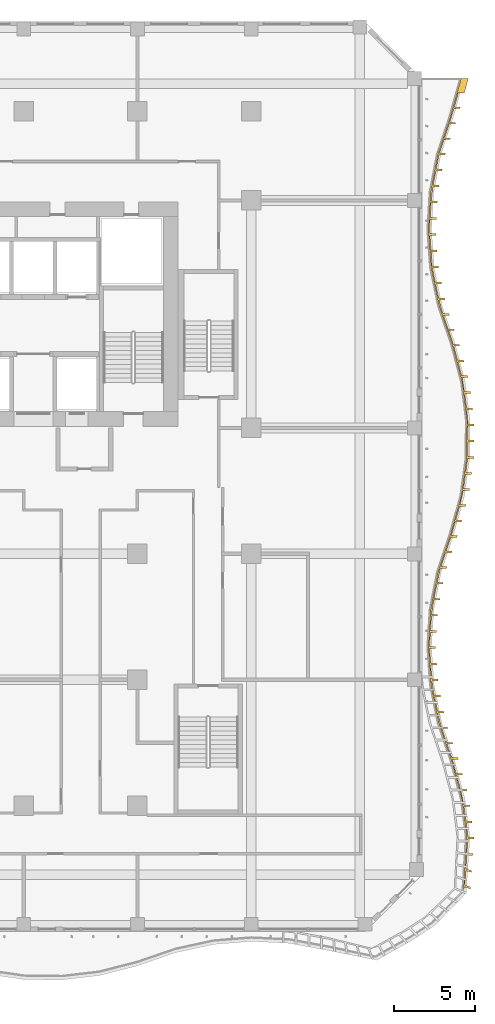
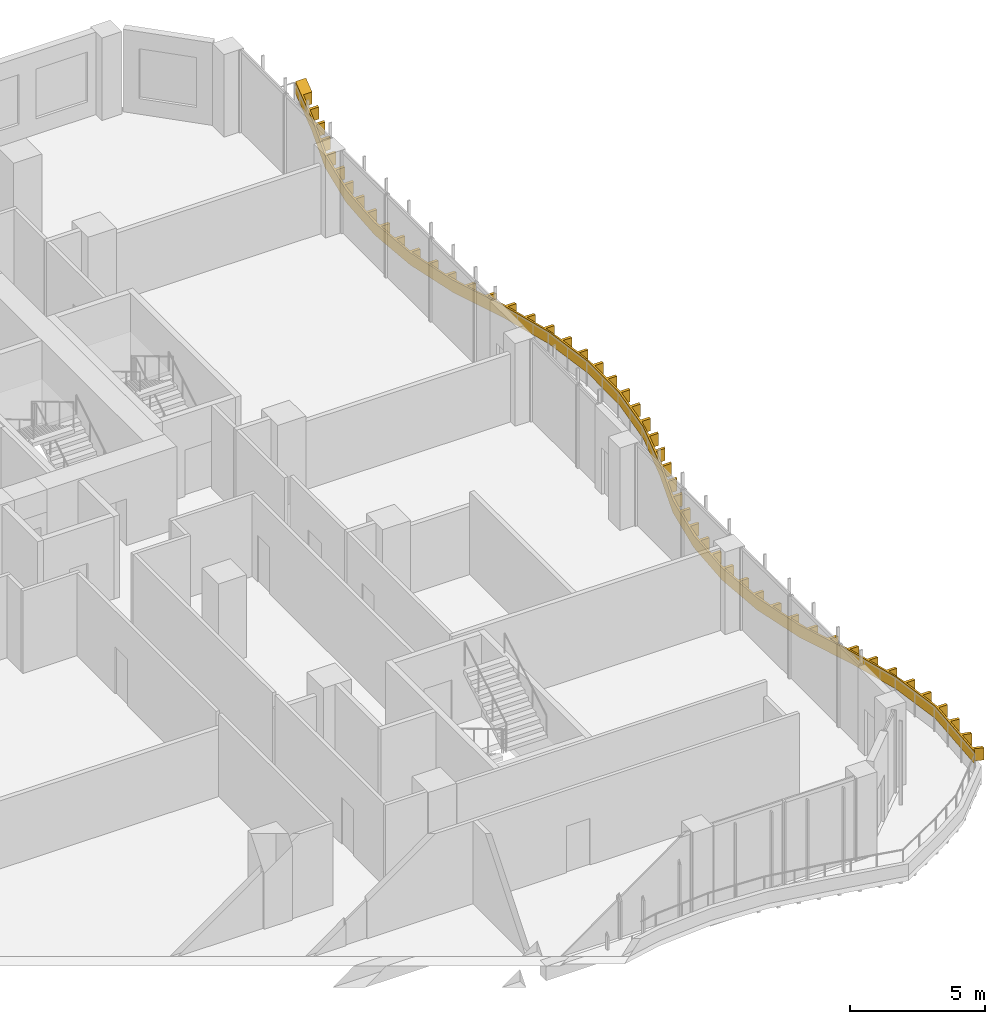
# One storey, part 23 of 26: 1 shading device.
"""IFC4 building model written with IfcOpenShell, lengths in metres."""

from ifc_helpers import new_model, si_unit, direction, frame, origin, place, context, subcontext, project, spatial, polyline, outline, extrude, source, transform, mapped, material, layer, layer_set, type_object, element, save


model = new_model("IFC4")

# Units and contexts
model_context = context("Model", 3, precision=1e-05, world=origin(), true_north=direction((0.0, 1.0)))
body_context = subcontext(model_context, "Body", "Model", "MODEL_VIEW")
ifc_project = project(units=[si_unit("LENGTHUNIT", "METRE"), si_unit("AREAUNIT", "SQUARE_METRE"), si_unit("VOLUMEUNIT", "CUBIC_METRE"), si_unit("PLANEANGLEUNIT", "RADIAN"), si_unit("MASSUNIT", "GRAM", prefix="KILO")], contexts=[model_context])

# Site, building, storey
site_placement = place(None, origin())
site = spatial("IfcSite", under=ifc_project, at=site_placement, CompositionType="ELEMENT")
building_placement = place(site_placement, origin())
building = spatial("IfcBuilding", under=site, at=building_placement, Name="Kilnfold Tower and Market Hall", CompositionType="ELEMENT")
storey_placement = place(building_placement, frame((0.0, 0.0, 108.60009765625)))
storey = spatial("IfcBuildingStorey", under=building, at=storey_placement, Name="L25", CompositionType="ELEMENT", Elevation=108.60009765625)

# Shading device
ifc_material = material(Name="Bronze anodised aluminium", Category="aluminium")
ifc_layer = layer(ifc_material, 0.550048828125)
ifc_layer_set = layer_set([ifc_layer], Name="Bronze anodised aluminium")
shading_device_type = type_object("IfcShadingDeviceType", Name="BRONZE SLAT FASCIA 550", PredefinedType="USERDEFINED", material=ifc_layer_set)
shared_shape = source(origin(), body_context, "Body", "SweptSolid", [
    extrude(outline(polyline([(35.98974609375, -20.377197265625), (35.644287109375, -20.249267578125), (35.55908203125, -20.404541015625), (35.76416015625, -17.166748046875), (35.46044921875, -14.833251953125), (34.83203125, -12.5), (34.0400390625, -10.166748046875), (33.5625, -7.833251953125), (33.400146484375, -5.5), (33.5439453125, -3.166748046875), (34.001708984375, -0.833251953125), (34.782958984375, 1.5), (35.431884765625, 3.833251953125), (35.754638671875, 6.166748046875), (35.7685546875, 8.5), (35.474365234375, 10.833251953125), (34.856201171875, 13.166748046875), (34.059814453125, 15.5), (33.572509765625, 17.833251953125), (33.400634765625, 20.166748046875), (33.53515625, 22.5), (33.983154296875, 24.833251953125), (34.7578125, 27.166748046875), (35.417236328125, 29.5), (35.8671875, 29.5), (35.6162109375, 28.611572265625), (35.24609375, 28.611572265625), (35.0068359375, 27.7646484375), (35.376708984375, 27.7646484375), (35.343994140625, 27.649169921875), (34.97412109375, 27.649169921875), (34.718505859375, 26.807373046875), (35.08837890625, 26.807373046875), (35.05078125, 26.693359375), (34.6806640625, 26.693359375), (34.4033203125, 25.8583984375), (34.7734375, 25.8583984375), (34.735595703125, 25.744384765625), (34.365478515625, 25.744384765625), (34.08837890625, 24.9091796875), (34.458251953125, 24.9091796875), (34.425537109375, 24.7939453125), (34.0556640625, 24.7939453125), (33.8896484375, 23.9296875), (34.259521484375, 23.9296875), (34.237060546875, 23.81201171875), (33.866943359375, 23.81201171875), (33.701171875, 22.94775390625), (34.071044921875, 22.94775390625), (34.04833984375, 22.829833984375), (33.678466796875, 22.829833984375), (33.583740234375, 21.956787109375), (33.953857421875, 21.956787109375), (33.947021484375, 21.8369140625), (33.576904296875, 21.8369140625), (33.526123046875, 20.95849609375), (33.896240234375, 20.95849609375), (33.889404296875, 20.838623046875), (33.519287109375, 20.838623046875), (33.495849609375, 19.960205078125), (33.86572265625, 19.960205078125), (33.87451171875, 19.8408203125), (33.504638671875, 19.8408203125), (33.569091796875, 18.962890625), (33.939208984375, 18.962890625), (33.947998046875, 18.843505859375), (33.577880859375, 18.843505859375), (33.642578125, 17.9658203125), (34.0126953125, 17.9658203125), (34.021484375, 17.84619140625), (33.651611328125, 17.84619140625), (33.82958984375, 16.984375), (34.19970703125, 16.984375), (34.22412109375, 16.866943359375), (33.854248046875, 16.866943359375), (34.0341796875, 16.005615234375), (34.404052734375, 16.005615234375), (34.4287109375, 15.88818359375), (34.05859375, 15.88818359375), (34.2958984375, 15.04248046875), (34.666015625, 15.04248046875), (34.70458984375, 14.9287109375), (34.334716796875, 14.9287109375), (34.618896484375, 14.095947265625), (34.989013671875, 14.095947265625), (35.027587890625, 13.982421875), (34.65771484375, 13.982421875), (34.94091796875, 13.149169921875), (35.310791015625, 13.149169921875), (35.341552734375, 13.033203125), (34.9716796875, 13.033203125), (35.197021484375, 12.1826171875), (35.56689453125, 12.1826171875), (35.59765625, 12.066650390625), (35.227783203125, 12.066650390625), (35.452880859375, 11.2158203125), (35.822998046875, 11.2158203125), (35.853759765625, 11.099853515625), (35.48388671875, 11.099853515625), (35.6298828125, 10.23388671875), (36.0, 10.23388671875), (36.014892578125, 10.11474609375), (35.64501953125, 10.11474609375), (35.7548828125, 9.24169921875), (36.125, 9.24169921875), (36.139892578125, 9.122802734375), (35.77001953125, 9.122802734375), (35.846923828125, 8.24755859375), (36.217041015625, 8.24755859375), (36.21630859375, 8.127685546875), (35.84619140625, 8.127685546875), (35.841064453125, 7.24755859375), (36.2109375, 7.24755859375), (36.210205078125, 7.127685546875), (35.84033203125, 7.127685546875), (35.835205078125, 6.24755859375), (36.205078125, 6.24755859375), (36.20458984375, 6.166748046875), (36.19921875, 6.1279296875), (35.829345703125, 6.1279296875), (35.708740234375, 5.25634765625), (36.07861328125, 5.25634765625), (36.062255859375, 5.137451171875), (35.6923828125, 5.137451171875), (35.57177734375, 4.265625), (35.94189453125, 4.265625), (35.92529296875, 4.146728515625), (35.555419921875, 4.146728515625), (35.361083984375, 3.290283203125), (35.73095703125, 3.290283203125), (35.69873046875, 3.1748046875), (35.328857421875, 3.1748046875), (35.093017578125, 2.326904296875), (35.462890625, 2.326904296875), (35.430908203125, 2.21142578125), (35.060791015625, 2.21142578125), (34.818115234375, 1.36572265625), (35.18798828125, 1.36572265625), (35.14990234375, 1.251953125), (34.77978515625, 1.251953125), (34.50048828125, 0.41748046875), (34.87060546875, 0.41748046875), (34.83251953125, 0.3037109375), (34.46240234375, 0.3037109375), (34.18310546875, -0.53076171875), (34.552978515625, -0.53076171875), (34.514892578125, -0.64453125), (34.14501953125, -0.64453125), (33.95068359375, -1.501708984375), (34.32080078125, -1.501708984375), (34.297607421875, -1.619384765625), (33.927490234375, -1.619384765625), (33.75830078125, -2.48291015625), (34.128173828125, -2.48291015625), (34.10498046875, -2.6005859375), (33.735107421875, -2.6005859375), (33.605224609375, -3.46923828125), (33.975341796875, -3.46923828125), (33.968017578125, -3.589111328125), (33.597900390625, -3.589111328125), (33.543701171875, -4.46728515625), (33.913818359375, -4.46728515625), (33.906494140625, -4.587158203125), (33.536376953125, -4.587158203125), (33.482177734375, -5.46533203125), (33.852294921875, -5.46533203125), (33.85595703125, -5.585205078125), (33.486083984375, -5.585205078125), (33.547119140625, -6.462890625), (33.917236328125, -6.462890625), (33.925537109375, -6.582763671875), (33.555419921875, -6.582763671875), (33.61669921875, -7.460693359375), (33.986572265625, -7.460693359375), (33.9951171875, -7.580322265625), (33.625, -7.580322265625), (33.768310546875, -8.447021484375), (34.13818359375, -8.447021484375), (34.162109375, -8.564697265625), (33.792236328125, -8.564697265625), (33.96875, -9.4267578125), (34.338623046875, -9.4267578125), (34.36279296875, -9.544189453125), (33.99267578125, -9.544189453125), (34.19873046875, -10.3984375), (34.568603515625, -10.3984375), (34.607421875, -10.511962890625), (34.2373046875, -10.511962890625), (34.520263671875, -11.34521484375), (34.89013671875, -11.34521484375), (34.9287109375, -11.458984375), (34.55859375, -11.458984375), (34.841552734375, -12.292236328125), (35.211669921875, -12.292236328125), (35.250244140625, -12.406005859375), (34.880126953125, -12.406005859375), (35.114990234375, -13.25390625), (35.485107421875, -13.25390625), (35.516357421875, -13.36962890625), (35.146240234375, -13.36962890625), (35.375244140625, -14.219482421875), (35.7451171875, -14.219482421875), (35.7763671875, -14.335205078125), (35.406494140625, -14.335205078125), (35.58740234375, -15.1943359375), (35.95751953125, -15.1943359375), (35.972900390625, -15.3134765625), (35.60302734375, -15.3134765625), (35.716552734375, -16.18603515625), (36.08642578125, -16.18603515625), (36.10205078125, -16.30517578125), (35.73193359375, -16.30517578125), (35.843505859375, -17.177490234375), (36.21337890625, -17.177978515625), (36.20458984375, -17.301025390625), (35.83544921875, -17.2958984375), (35.77783203125, -18.162109375), (36.1416015625, -18.203369140625), (36.133056640625, -18.326416015625), (35.770263671875, -18.280029296875), (35.714111328125, -19.146240234375), (36.070068359375, -19.228759765625), (36.061279296875, -19.351806640625), (35.70654296875, -19.264404296875), (35.651611328125, -20.131103515625), (35.998291015625, -20.254150390625), (35.98974609375, -20.377197265625)])), origin(), (0.0, 0.0, 1.0), 0.550048828125),
])
shading_device_placement = place(storey_placement, frame((0.0, 0.0, 0.5498046875)))
element("IfcShadingDevice", 1, at=shading_device_placement, inside=storey, type_object=shading_device_type, Name="Balcony slat fascia L25", ObjectType="SLAT", PredefinedType="USERDEFINED", context=body_context, shape_type="MappedRepresentation", body=[
    mapped(shared_shape, transform((0.0, 0.0, 0.0))),
])

save(model, "model.ifc")
